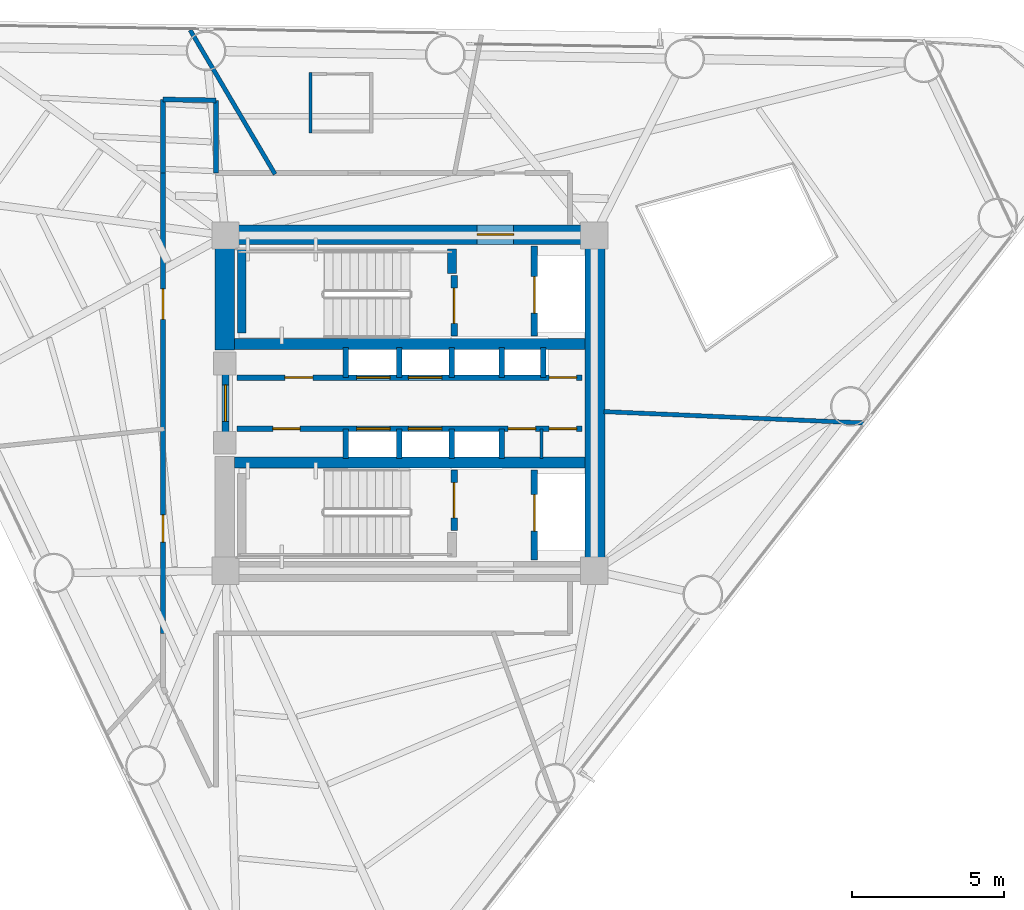
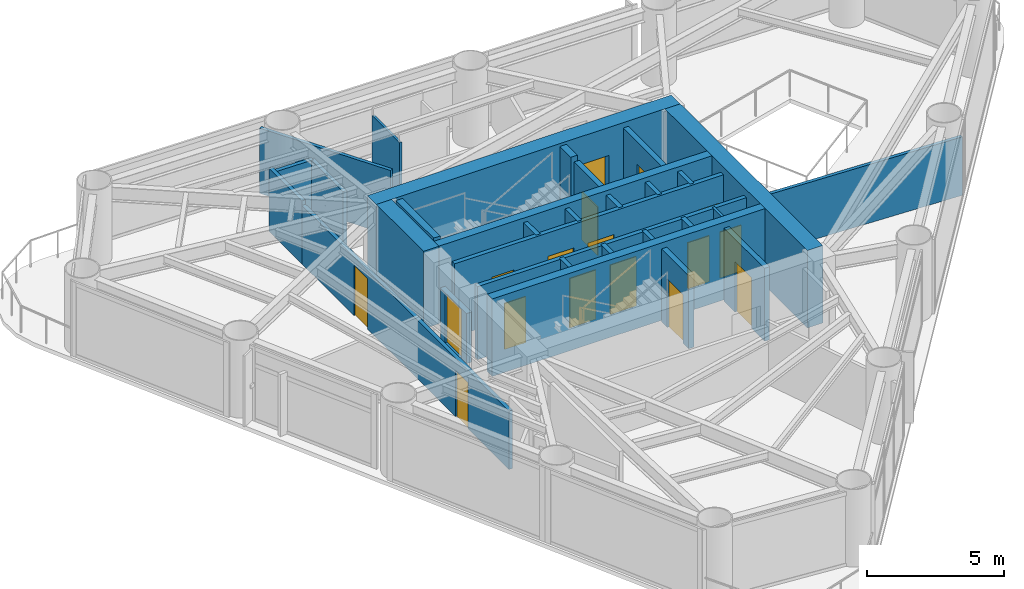
# One storey, part 6 of 10: 31 walls, 17 doors, 17 openings.
"""IFC4 building model written with IfcOpenShell, lengths in metres."""

from ifc_helpers import new_model, si_unit, direction, frame, frame_2d, origin, place, context, subcontext, project, spatial, rectangle, extrude, material, layer, layer_set, type_object, element, fill, save


model = new_model("IFC4")

# Units and contexts
model_context = context("Model", 3, precision=1e-05, world=origin(), true_north=direction((0.0, 1.0)))
body_context = subcontext(model_context, "Body", "Model", "MODEL_VIEW")
ifc_project = project(units=[si_unit("LENGTHUNIT", "METRE"), si_unit("AREAUNIT", "SQUARE_METRE"), si_unit("VOLUMEUNIT", "CUBIC_METRE"), si_unit("PLANEANGLEUNIT", "RADIAN"), si_unit("MASSUNIT", "GRAM", prefix="KILO")], contexts=[model_context])

# Site, building, storey
site_placement = place(None, origin())
site = spatial("IfcSite", under=ifc_project, at=site_placement, CompositionType="ELEMENT")
building_placement = place(site_placement, origin())
building = spatial("IfcBuilding", under=site, at=building_placement, Name="Yunling Apex Tower", CompositionType="ELEMENT")
storey_placement = place(building_placement, frame((0.0, 0.0, 136.39990234375)))
storey = spatial("IfcBuildingStorey", under=building, at=storey_placement, Name="L33", CompositionType="ELEMENT", Elevation=136.39990234375)

# Wall, opening, door
ifc_material_1 = material(Name="Concrete C50", Category="concrete")
ifc_layer_1 = layer(ifc_material_1, 0.64990234375)
ifc_layer_set_1 = layer_set([ifc_layer_1], Name="Concrete C50")
wall_type_1 = type_object("IfcWallType", Name="WL-COR-2", PredefinedType="SHEAR", material=ifc_layer_set_1)
wall_1_placement = place(storey_placement, frame((-6.39990234375, 5.52490234375, 0.0), z_axis=(0.0, 0.0, 1.0), x_axis=(1.0, 0.0, 0.0)))
wall_1 = element("IfcWall", 1, at=wall_1_placement, inside=storey, type_object=wall_type_1, Name="L33 North Core Shear Wall", PredefinedType="SHEAR", context=body_context, shape_type="SweptSolid", body=[
    extrude(rectangle(XDim=12.7998046875, YDim=0.64990234375, at=frame_2d((6.39990234375, 0.0))), origin(), (0.0, 0.0, 1.0), 3.4501953125),
])
opening_1_placement = place(wall_1_placement, frame((8.60009765625, 0.0, 0.0)))
opening_1 = element("IfcOpeningElement", 2, at=opening_1_placement, cuts=wall_1, Name="Opening DR-FFL-1", PredefinedType="OPENING", context=body_context, shape_type="SweptSolid", body=[
    extrude(rectangle(XDim=1.199951171875, YDim=2.199951171875, at=frame_2d((0.60009765625, 1.10009765625))), frame((0.0, 0.3349609375, 0.0), z_axis=(0.0, -1.0, 0.0), x_axis=(1.0, 0.0, 0.0)), (0.0, 0.0, 1.0), 0.669921875),
])
ifc_material_2 = material(Name="Steel Q355B", Category="steel")
door_type_1 = type_object("IfcDoorType", Name="DR-FFL-1", OperationType="NOTDEFINED", PredefinedType="DOOR", material=ifc_material_2)
door_1_placement = place(opening_1_placement, origin())
door_1 = element("IfcDoor", 3, at=door_1_placement, inside=storey, type_object=door_type_1, Name="L33 North Firefighting Lobby Door", OperationType="SINGLE_SWING_LEFT", OverallHeight=2.199951171875, OverallWidth=1.199951171875, PredefinedType="DOOR", context=body_context, shape_type="SweptSolid", body=[
    extrude(rectangle(XDim=1.199951171875, YDim=2.199951171875, at=frame_2d((0.60009765625, 1.10009765625))), frame((0.0, 0.02490234375, 0.0), z_axis=(0.0, -1.0, 0.0), x_axis=(1.0, 0.0, 0.0)), (0.0, 0.0, 1.0), 0.050048828125),
])
fill(opening_1, door_1)

# Walls
wall_2_placement = place(storey_placement, frame((6.074951171875, -5.199951171875, 0.0), z_axis=(0.0, 0.0, 1.0), x_axis=(0.0, 1.0, 0.0)))
element("IfcWall", 4, at=wall_2_placement, inside=storey, type_object=wall_type_1, Name="L33 East Core Shear Wall", PredefinedType="SHEAR", context=body_context, shape_type="SweptSolid", body=[
    extrude(rectangle(XDim=10.39990234375, YDim=0.64990234375, at=frame_2d((5.199951171875, 0.0))), origin(), (0.0, 0.0, 1.0), 3.4501953125),
])
wall_3_placement = place(storey_placement, frame((-6.074951171875, 1.75, 0.0), z_axis=(0.0, 0.0, 1.0), x_axis=(0.0, 1.0, 0.0)))
element("IfcWall", 5, at=wall_3_placement, inside=storey, type_object=wall_type_1, Name="L33 West-North Core Shear Wall", PredefinedType="SHEAR", context=body_context, shape_type="SweptSolid", body=[
    extrude(rectangle(XDim=3.449951171875, YDim=0.64990234375, at=frame_2d((1.72509765625, 0.0))), origin(), (0.0, 0.0, 1.0), 3.4501953125),
])
ifc_material_3 = material(Name="Concrete C40", Category="concrete")
ifc_layer_2 = layer(ifc_material_3, 0.360107421875)
ifc_layer_set_2 = layer_set([ifc_layer_2], Name="Concrete C40")
wall_type_2 = type_object("IfcWallType", Name="WL-COR-4", PredefinedType="SHEAR", material=ifc_layer_set_2)
for number, where, z_axis, x_axis, name in (
    (6, (-5.75, 1.93994140625, 0.0), (0.0, 0.0, 1.0), (1.0, 0.0, 0.0), "L33 North Internal Core Shear Wall"),
    (7, (-5.75, -1.93994140625, 0.0), (0.0, 0.0, 1.0), (1.0, 0.0, 0.0), "L33 South Internal Core Shear Wall"),
):
    element("IfcWall", number, at=place(storey_placement, frame(where, z_axis=z_axis, x_axis=x_axis)), inside=storey, type_object=wall_type_2, Name=name, PredefinedType="SHEAR", context=body_context, shape_type="SweptSolid", body=[
        extrude(rectangle(XDim=11.5, YDim=0.360107421875, at=frame_2d((5.75, 0.0))), origin(), (0.0, 0.0, 1.0), 3.4501953125),
    ])
ifc_layer_3 = layer(ifc_material_3, 0.280029296875)
ifc_layer_set_3 = layer_set([ifc_layer_3], Name="Concrete C40")
wall_type_3 = type_object("IfcWallType", Name="WL-COR-8", PredefinedType="SHEAR", material=ifc_layer_set_3)
wall_4_placement = place(storey_placement, frame((-5.52001953125, 2.300048828125, 0.0), z_axis=(0.0, 0.0, 1.0), x_axis=(0.0, 1.0, 0.0)))
element("IfcWall", 8, at=wall_4_placement, inside=storey, type_object=wall_type_3, Name="L33 ST-1 West Landing Bearing Wall", PredefinedType="SHEAR", context=body_context, shape_type="SweptSolid", body=[
    extrude(rectangle(XDim=2.75, YDim=0.280029296875, at=frame_2d((1.375, 0.0))), origin(), (0.0, 0.0, 1.0), 3.4501953125),
])
wall_5_placement = place(storey_placement, frame((1.3798828125, 4.25, 0.0), z_axis=(0.0, 0.0, 1.0), x_axis=(0.0, 1.0, 0.0)))
element("IfcWall", 9, at=wall_5_placement, inside=storey, type_object=wall_type_3, Name="L33 ST-1 East Landing Bearing Pier", PredefinedType="SHEAR", context=body_context, shape_type="SweptSolid", body=[
    extrude(rectangle(XDim=0.800048828125, YDim=0.280029296875, at=frame_2d((0.39990234375, 0.0))), origin(), (0.0, 0.0, 1.0), 3.4501953125),
])

# Wall, openings, doors
ifc_material_4 = material(Name="Gypsum board acoustic partition")
ifc_layer_4 = layer(ifc_material_4, 0.159912109375)
ifc_layer_set_4 = layer_set([ifc_layer_4], Name="Gypsum board acoustic partition")
wall_type_4 = type_object("IfcWallType", Name="WL-PRT-1", PredefinedType="PARTITIONING", material=ifc_layer_set_4)
wall_6_placement = place(storey_placement, frame((-8.10009765625, -7.550048828125, 0.0), z_axis=(0.0, 0.0, 1.0), x_axis=(0.0, 1.0, 0.0)))
wall_6 = element("IfcWall", 10, at=wall_6_placement, inside=storey, type_object=wall_type_4, Name="WL-CORR-L33-03", PredefinedType="PARTITIONING", context=body_context, shape_type="SweptSolid", body=[
    extrude(rectangle(XDim=15.10009765625, YDim=0.159912109375, at=frame_2d((7.550048828125, 0.0))), origin(), (0.0, 0.0, 1.0), 2.60498046875),
])
opening_2_placement = place(wall_6_placement, frame((2.989013671875, 0.0, 0.0)))
opening_2 = element("IfcOpeningElement", 11, at=opening_2_placement, cuts=wall_6, Name="Opening DR-SHF-1", PredefinedType="OPENING", context=body_context, shape_type="SweptSolid", body=[
    extrude(rectangle(XDim=0.89990234375, YDim=2.050048828125, at=frame_2d((0.449951171875, 1.02490234375))), frame((0.0, 0.08984375, 0.0), z_axis=(0.0, -1.0, 0.0), x_axis=(1.0, 0.0, 0.0)), (0.0, 0.0, 1.0), 0.179931640625),
])
opening_3_placement = place(wall_6_placement, frame((10.30126953125, 0.0, 0.0)))
opening_3 = element("IfcOpeningElement", 12, at=opening_3_placement, cuts=wall_6, Name="Opening DR-OFF-1", PredefinedType="OPENING", context=body_context, shape_type="SweptSolid", body=[
    extrude(rectangle(XDim=1.0, YDim=2.25, at=frame_2d((0.5, 1.125))), frame((0.0, 0.08984375, 0.0), z_axis=(0.0, -1.0, 0.0), x_axis=(1.0, 0.0, 0.0)), (0.0, 0.0, 1.0), 0.179931640625),
])
ifc_material_5 = material(Name="Bronze anodised aluminium", Category="aluminium")
door_type_2 = type_object("IfcDoorType", Name="DR-OFF-1", OperationType="NOTDEFINED", PredefinedType="DOOR", material=ifc_material_5)
door_2_placement = place(opening_3_placement, origin())
door_2 = element("IfcDoor", 13, at=door_2_placement, inside=storey, type_object=door_type_2, Name="L33 Club Lounge Door", OperationType="SINGLE_SWING_RIGHT", OverallHeight=2.25, OverallWidth=1.0, PredefinedType="DOOR", context=body_context, shape_type="SweptSolid", body=[
    extrude(rectangle(XDim=1.0, YDim=2.25, at=frame_2d((0.5, 1.125))), frame((0.0, 0.02490234375, 0.0), z_axis=(0.0, -1.0, 0.0), x_axis=(1.0, 0.0, 0.0)), (0.0, 0.0, 1.0), 0.050048828125),
])
fill(opening_3, door_2)
door_type_3 = type_object("IfcDoorType", Name="DR-SHF-1", OperationType="NOTDEFINED", PredefinedType="DOOR", material=ifc_material_2)
door_3_placement = place(opening_2_placement, origin())
door_3 = element("IfcDoor", 14, at=door_3_placement, inside=storey, type_object=door_type_3, Name="L33 Housekeeping Room Door", OperationType="SINGLE_SWING_LEFT", OverallHeight=2.050048828125, OverallWidth=0.89990234375, PredefinedType="DOOR", context=body_context, shape_type="SweptSolid", body=[
    extrude(rectangle(XDim=0.89990234375, YDim=2.050048828125, at=frame_2d((0.449951171875, 1.02490234375))), frame((0.0, 0.02490234375, 0.0), z_axis=(0.0, -1.0, 0.0), x_axis=(1.0, 0.0, 0.0)), (0.0, 0.0, 1.0), 0.050048828125),
])
fill(opening_2, door_3)

# Walls
wall_7_placement = place(storey_placement, frame((-8.10009765625, 7.550048828125, 0.0), z_axis=(0.0, 0.0, 1.0), x_axis=(0.0, 1.0, 0.0)))
element("IfcWall", 15, at=wall_7_placement, inside=storey, type_object=wall_type_4, Name="WL-CORR-L33-04", PredefinedType="PARTITIONING", context=body_context, shape_type="SweptSolid", body=[
    extrude(rectangle(XDim=2.411865234375, YDim=0.159912109375, at=frame_2d((1.2060546875, 0.0))), origin(), (0.0, 0.0, 1.0), 2.80517578125),
])
wall_8_placement = place(storey_placement, frame((-8.10009765625, 9.9619140625, 0.0), z_axis=(0.0, 0.0, 1.0), x_axis=(0.999858281466, -0.016834992813, 0.0)))
element("IfcWall", 16, at=wall_8_placement, inside=storey, type_object=wall_type_4, Name="WL-CORR-L33-05", PredefinedType="PARTITIONING", context=body_context, shape_type="SweptSolid", body=[
    extrude(rectangle(XDim=1.740234375, YDim=0.159912109375, at=frame_2d((0.8701171875, 0.0))), origin(), (0.0, 0.0, 1.0), 2.60498046875),
])
wall_9_placement = place(storey_placement, frame((-6.360107421875, 9.9326171875, 0.0), z_axis=(0.0, 0.0, 1.0), x_axis=(0.0, -1.0, 0.0)))
element("IfcWall", 17, at=wall_9_placement, inside=storey, type_object=wall_type_4, Name="WL-CORR-L33-06", PredefinedType="PARTITIONING", context=body_context, shape_type="SweptSolid", body=[
    extrude(rectangle(XDim=2.382568359375, YDim=0.159912109375, at=frame_2d((1.19140625, 0.0))), origin(), (0.0, 0.0, 1.0), 2.60498046875),
])
ifc_layer_5 = layer(ifc_material_4, 0.139892578125)
ifc_layer_set_5 = layer_set([ifc_layer_5], Name="Gypsum board acoustic partition")
wall_type_5 = type_object("IfcWallType", Name="WL-PRT-2", PredefinedType="PARTITIONING", material=ifc_layer_set_5)
wall_10_placement = place(storey_placement, frame((6.360107421875, -0.277587890625, 0.0), z_axis=(0.0, 0.0, 1.0), x_axis=(0.999047707238, -0.043631166178, 0.0)))
element("IfcWall", 18, at=wall_10_placement, inside=storey, type_object=wall_type_5, Name="WL-RAD-L33-01", PredefinedType="PARTITIONING", context=body_context, shape_type="SweptSolid", body=[
    extrude(rectangle(XDim=8.52197265625, YDim=0.139892578125, at=frame_2d((4.260986328125, 0.0))), origin(), (0.0, 0.0, 1.0), 2.60498046875),
])
wall_11_placement = place(storey_placement, frame((-4.423583984375, 7.510009765625, 0.0), z_axis=(0.0, 0.0, 1.0), x_axis=(-0.507548978892, 0.861622907092, 0.0)))
element("IfcWall", 19, at=wall_11_placement, inside=storey, type_object=wall_type_5, Name="WL-RAD-L33-03", PredefinedType="PARTITIONING", context=body_context, shape_type="SweptSolid", body=[
    extrude(rectangle(XDim=5.486572265625, YDim=0.139892578125, at=frame_2d((2.7431640625, 0.0))), origin(), (0.0, 0.0, 1.0), 2.905029296875),
])
ifc_layer_6 = layer(ifc_material_4, 0.10009765625)
ifc_layer_set_6 = layer_set([ifc_layer_6], Name="Gypsum board acoustic partition")
wall_type_6 = type_object("IfcWallType", Name="WL-PRT-4", PredefinedType="PARTITIONING", material=ifc_layer_set_6)
wall_12_placement = place(storey_placement, frame((4.31005859375, -1.820068359375, 0.0), z_axis=(0.0, 0.0, 1.0), x_axis=(0.0, 1.0, 0.0)))
element("IfcWall", 20, at=wall_12_placement, inside=storey, type_object=wall_type_6, Name="WL-KCDIV-L33", PredefinedType="PARTITIONING", context=body_context, shape_type="SweptSolid", body=[
    extrude(rectangle(XDim=0.97998046875, YDim=0.10009765625, at=frame_2d((0.489990234375, 0.0))), origin(), (0.0, 0.0, 1.0), 3.25),
])
wall_13_placement = place(storey_placement, frame((-3.26806640625, 8.85498046875, 0.0), z_axis=(0.0, 0.0, 1.0), x_axis=(0.0, 1.0, 0.0)))
element("IfcWall", 21, at=wall_13_placement, inside=storey, type_object=wall_type_6, Name="WL-ENS-L33-5W", PredefinedType="PARTITIONING", context=body_context, shape_type="SweptSolid", body=[
    extrude(rectangle(XDim=2.0, YDim=0.10009765625, at=frame_2d((1.0, 0.0))), origin(), (0.0, 0.0, 1.0), 2.905029296875),
])

# Wall, opening, door
ifc_material_6 = material(Name="Autoclaved aerated concrete masonry", Category="masonry")
ifc_layer_7 = layer(ifc_material_6, 0.219970703125)
ifc_layer_set_7 = layer_set([ifc_layer_7], Name="Autoclaved aerated concrete masonry")
wall_type_7 = type_object("IfcWallType", Name="WL-SHF-1", PredefinedType="PLUMBINGWALL", material=ifc_layer_set_7)
wall_14_placement = place(storey_placement, frame((-6.050048828125, -0.949951171875, 0.0), z_axis=(0.0, 0.0, 1.0), x_axis=(0.0, 1.0, 0.0)))
wall_14 = element("IfcWall", 22, at=wall_14_placement, inside=storey, type_object=wall_type_7, Name="WL-COR-WPORT-L33", PredefinedType="PLUMBINGWALL", context=body_context, shape_type="SweptSolid", body=[
    extrude(rectangle(XDim=1.89990234375, YDim=0.219970703125, at=frame_2d((0.949951171875, 0.0))), origin(), (0.0, 0.0, 1.0), 2.22998046875),
])
opening_4_placement = place(wall_14_placement, frame((0.35009765625, 0.0, 0.0)))
opening_4 = element("IfcOpeningElement", 23, at=opening_4_placement, cuts=wall_14, Name="Opening DR-FFL-1", PredefinedType="OPENING", context=body_context, shape_type="SweptSolid", body=[
    extrude(rectangle(XDim=1.199951171875, YDim=2.199951171875, at=frame_2d((0.60009765625, 1.10009765625))), frame((0.0, 0.1201171875, 0.0), z_axis=(0.0, -1.0, 0.0), x_axis=(1.0, 0.0, 0.0)), (0.0, 0.0, 1.0), 0.239990234375),
])
door_4_placement = place(opening_4_placement, origin())
door_4 = element("IfcDoor", 24, at=door_4_placement, inside=storey, type_object=door_type_1, Name="L33 Passenger Lift Lobby Entrance Door", OperationType="SINGLE_SWING_RIGHT", OverallHeight=2.199951171875, OverallWidth=1.199951171875, PredefinedType="DOOR", context=body_context, shape_type="SweptSolid", body=[
    extrude(rectangle(XDim=1.199951171875, YDim=2.199951171875, at=frame_2d((0.60009765625, 1.10009765625))), frame((0.0, 0.02490234375, 0.0), z_axis=(0.0, -1.0, 0.0), x_axis=(1.0, 0.0, 0.0)), (0.0, 0.0, 1.0), 0.050048828125),
])
fill(opening_4, door_4)

wall_15_placement = place(storey_placement, frame((1.449951171875, 2.199951171875, 0.0), z_axis=(0.0, 0.0, 1.0), x_axis=(0.0, 1.0, 0.0)))
wall_15 = element("IfcWall", 25, at=wall_15_placement, inside=storey, type_object=wall_type_7, Name="WL-ST1-E-L33", PredefinedType="PLUMBINGWALL", context=body_context, shape_type="SweptSolid", body=[
    extrude(rectangle(XDim=1.97998046875, YDim=0.219970703125, at=frame_2d((0.989990234375, 0.0))), origin(), (0.0, 0.0, 1.0), 3.25),
])
opening_5_placement = place(wall_15_placement, frame((0.419921875, 0.0, 0.0)))
opening_5 = element("IfcOpeningElement", 26, at=opening_5_placement, cuts=wall_15, Name="Opening DR-ST-1", PredefinedType="OPENING", context=body_context, shape_type="SweptSolid", body=[
    extrude(rectangle(XDim=1.14990234375, YDim=2.14990234375, at=frame_2d((0.574951171875, 1.074951171875))), frame((0.0, 0.1201171875, 0.0), z_axis=(0.0, -1.0, 0.0), x_axis=(1.0, 0.0, 0.0)), (0.0, 0.0, 1.0), 0.239990234375),
])
door_type_4 = type_object("IfcDoorType", Name="DR-ST-1", OperationType="NOTDEFINED", PredefinedType="DOOR", material=ifc_material_2)
door_5_placement = place(opening_5_placement, origin())
door_5 = element("IfcDoor", 27, at=door_5_placement, inside=storey, type_object=door_type_4, Name="L33 Stair ST-1 Fire Door", OperationType="SINGLE_SWING_RIGHT", OverallHeight=2.14990234375, OverallWidth=1.14990234375, PredefinedType="DOOR", context=body_context, shape_type="SweptSolid", body=[
    extrude(rectangle(XDim=1.14990234375, YDim=2.14990234375, at=frame_2d((0.574951171875, 1.074951171875))), frame((0.0, 0.02490234375, 0.0), z_axis=(0.0, -1.0, 0.0), x_axis=(1.0, 0.0, 0.0)), (0.0, 0.0, 1.0), 0.050048828125),
])
fill(opening_5, door_5)

wall_16_placement = place(storey_placement, frame((4.080078125, 2.199951171875, 0.0), z_axis=(0.0, 0.0, 1.0), x_axis=(0.0, 1.0, 0.0)))
wall_16 = element("IfcWall", 28, at=wall_16_placement, inside=storey, type_object=wall_type_7, Name="WL-FFL1-W-L33", PredefinedType="PLUMBINGWALL", context=body_context, shape_type="SweptSolid", body=[
    extrude(rectangle(XDim=2.949951171875, YDim=0.219970703125, at=frame_2d((1.47509765625, 0.0))), origin(), (0.0, 0.0, 1.0), 3.25),
])
opening_6_placement = place(wall_16_placement, frame((0.75, 0.0, 0.0)))
opening_6 = element("IfcOpeningElement", 29, at=opening_6_placement, cuts=wall_16, Name="Opening LD-FFL-1", PredefinedType="OPENING", context=body_context, shape_type="SweptSolid", body=[
    extrude(rectangle(XDim=1.199951171875, YDim=2.25, at=frame_2d((0.60009765625, 1.125))), frame((0.0, 0.1201171875, 0.0), z_axis=(0.0, -1.0, 0.0), x_axis=(1.0, 0.0, 0.0)), (0.0, 0.0, 1.0), 0.239990234375),
])
door_type_5 = type_object("IfcDoorType", Name="LD-FFL-1", OperationType="DOUBLE_DOOR_SLIDING", PredefinedType="DOOR", material=ifc_material_2)
door_6_placement = place(opening_6_placement, origin())
door_6 = element("IfcDoor", 30, at=door_6_placement, inside=storey, type_object=door_type_5, Name="L33 Lift FFL-1 Landing Door", OperationType="DOUBLE_DOOR_SLIDING", OverallHeight=2.25, OverallWidth=1.199951171875, PredefinedType="DOOR", context=body_context, shape_type="SweptSolid", body=[
    extrude(rectangle(XDim=1.199951171875, YDim=2.25, at=frame_2d((0.60009765625, 1.125))), frame((0.0, 0.02490234375, 0.0), z_axis=(0.0, -1.0, 0.0), x_axis=(1.0, 0.0, 0.0)), (0.0, 0.0, 1.0), 0.050048828125),
])
fill(opening_6, door_6)

wall_17_placement = place(storey_placement, frame((1.449951171875, -4.179931640625, 0.0), z_axis=(0.0, 0.0, 1.0), x_axis=(0.0, 1.0, 0.0)))
wall_17 = element("IfcWall", 31, at=wall_17_placement, inside=storey, type_object=wall_type_7, Name="WL-ST2-E-L33", PredefinedType="PLUMBINGWALL", context=body_context, shape_type="SweptSolid", body=[
    extrude(rectangle(XDim=1.97998046875, YDim=0.219970703125, at=frame_2d((0.989990234375, 0.0))), origin(), (0.0, 0.0, 1.0), 3.25),
])
opening_7_placement = place(wall_17_placement, frame((0.419921875, 0.0, 0.0)))
opening_7 = element("IfcOpeningElement", 32, at=opening_7_placement, cuts=wall_17, Name="Opening DR-ST-1", PredefinedType="OPENING", context=body_context, shape_type="SweptSolid", body=[
    extrude(rectangle(XDim=1.14990234375, YDim=2.14990234375, at=frame_2d((0.574951171875, 1.074951171875))), frame((0.0, 0.1201171875, 0.0), z_axis=(0.0, -1.0, 0.0), x_axis=(1.0, 0.0, 0.0)), (0.0, 0.0, 1.0), 0.239990234375),
])
door_7_placement = place(opening_7_placement, origin())
door_7 = element("IfcDoor", 33, at=door_7_placement, inside=storey, type_object=door_type_4, Name="L33 Stair ST-2 Fire Door", OperationType="SINGLE_SWING_LEFT", OverallHeight=2.14990234375, OverallWidth=1.14990234375, PredefinedType="DOOR", context=body_context, shape_type="SweptSolid", body=[
    extrude(rectangle(XDim=1.14990234375, YDim=2.14990234375, at=frame_2d((0.574951171875, 1.074951171875))), frame((0.0, 0.02490234375, 0.0), z_axis=(0.0, -1.0, 0.0), x_axis=(1.0, 0.0, 0.0)), (0.0, 0.0, 1.0), 0.050048828125),
])
fill(opening_7, door_7)

wall_18_placement = place(storey_placement, frame((4.080078125, -5.14990234375, 0.0), z_axis=(0.0, 0.0, 1.0), x_axis=(0.0, 1.0, 0.0)))
wall_18 = element("IfcWall", 34, at=wall_18_placement, inside=storey, type_object=wall_type_7, Name="WL-FFL2-W-L33", PredefinedType="PLUMBINGWALL", context=body_context, shape_type="SweptSolid", body=[
    extrude(rectangle(XDim=2.949951171875, YDim=0.219970703125, at=frame_2d((1.47509765625, 0.0))), origin(), (0.0, 0.0, 1.0), 3.25),
])
opening_8_placement = place(wall_18_placement, frame((0.949951171875, 0.0, 0.0)))
opening_8 = element("IfcOpeningElement", 35, at=opening_8_placement, cuts=wall_18, Name="Opening LD-FFL-1", PredefinedType="OPENING", context=body_context, shape_type="SweptSolid", body=[
    extrude(rectangle(XDim=1.199951171875, YDim=2.25, at=frame_2d((0.60009765625, 1.125))), frame((0.0, 0.1201171875, 0.0), z_axis=(0.0, -1.0, 0.0), x_axis=(1.0, 0.0, 0.0)), (0.0, 0.0, 1.0), 0.239990234375),
])
door_8_placement = place(opening_8_placement, origin())
door_8 = element("IfcDoor", 36, at=door_8_placement, inside=storey, type_object=door_type_5, Name="L33 Lift FFL-2 Landing Door", OperationType="DOUBLE_DOOR_SLIDING", OverallHeight=2.25, OverallWidth=1.199951171875, PredefinedType="DOOR", context=body_context, shape_type="SweptSolid", body=[
    extrude(rectangle(XDim=1.199951171875, YDim=2.25, at=frame_2d((0.60009765625, 1.125))), frame((0.0, 0.02490234375, 0.0), z_axis=(0.0, -1.0, 0.0), x_axis=(1.0, 0.0, 0.0)), (0.0, 0.0, 1.0), 0.050048828125),
])
fill(opening_8, door_8)

# Walls
ifc_layer_8 = layer(ifc_material_6, 0.179931640625)
ifc_layer_set_8 = layer_set([ifc_layer_8], Name="Autoclaved aerated concrete masonry")
wall_type_8 = type_object("IfcWallType", Name="WL-SHF-2", PredefinedType="PLUMBINGWALL", material=ifc_layer_set_8)
for number, where, z_axis, x_axis, name in (
    (37, (-2.10009765625, 0.840087890625, 0.0), (0.0, 0.0, 1.0), (0.0, 1.0, 0.0), "WL-BNK-LM-N-L33"),
    (38, (-2.10009765625, -1.820068359375, 0.0), (0.0, 0.0, 1.0), (0.0, 1.0, 0.0), "WL-BNK-LM-S-L33"),
    (39, (-0.35009765625, 0.840087890625, 0.0), (0.0, 0.0, 1.0), (0.0, 1.0, 0.0), "WL-DIV-M12-L33"),
    (40, (-0.35009765625, -1.820068359375, 0.0), (0.0, 0.0, 1.0), (0.0, 1.0, 0.0), "WL-DIV-M34-L33"),
    (41, (1.3798828125, 0.840087890625, 0.0), (0.0, 0.0, 1.0), (0.0, 1.0, 0.0), "WL-BNK-MH-N-L33"),
    (42, (1.3798828125, -1.820068359375, 0.0), (0.0, 0.0, 1.0), (0.0, 1.0, 0.0), "WL-BNK-MH-S-L33"),
    (43, (3.02001953125, 0.840087890625, 0.0), (0.0, 0.0, 1.0), (0.0, 1.0, 0.0), "WL-DIV-H13-L33"),
    (44, (4.3798828125, 0.840087890625, 0.0), (0.0, 0.0, 1.0), (0.0, 1.0, 0.0), "WL-END-H3E-L33"),
    (45, (3.02001953125, -1.820068359375, 0.0), (0.0, 0.0, 1.0), (0.0, 1.0, 0.0), "WL-END-H2E-L33"),
):
    element("IfcWall", number, at=place(storey_placement, frame(where, z_axis=z_axis, x_axis=x_axis)), inside=storey, type_object=wall_type_8, Name=name, PredefinedType="PLUMBINGWALL", context=body_context, shape_type="SweptSolid", body=[
        extrude(rectangle(XDim=0.97998046875, YDim=0.179931640625, at=frame_2d((0.489990234375, 0.0))), origin(), (0.0, 0.0, 1.0), 3.25),
    ])

# Wall, openings, doors
wall_19_placement = place(storey_placement, frame((-5.679931640625, 0.840087890625, 0.0), z_axis=(0.0, 0.0, 1.0), x_axis=(1.0, 0.0, 0.0)))
wall_19 = element("IfcWall", 46, at=wall_19_placement, inside=storey, type_object=wall_type_8, Name="WL-LOB-N-L33", PredefinedType="PLUMBINGWALL", context=body_context, shape_type="SweptSolid", body=[
    extrude(rectangle(XDim=11.329833984375, YDim=0.179931640625, at=frame_2d((5.6650390625, 0.0))), origin(), (0.0, 0.0, 1.0), 3.25),
])
opening_9_placement = place(wall_19_placement, frame((1.580078125, 0.0, 0.0)))
opening_9 = element("IfcOpeningElement", 47, at=opening_9_placement, cuts=wall_19, Name="Opening DR-WC-1", PredefinedType="OPENING", context=body_context, shape_type="SweptSolid", body=[
    extrude(rectangle(XDim=0.919921875, YDim=2.10009765625, at=frame_2d((0.4599609375, 1.050048828125))), frame((0.0, 0.10009765625, 0.0), z_axis=(0.0, -1.0, 0.0), x_axis=(1.0, 0.0, 0.0)), (0.0, 0.0, 1.0), 0.199951171875),
])
opening_10_placement = place(wall_19_placement, frame((3.929931640625, 0.0, 0.0)))
opening_10 = element("IfcOpeningElement", 48, at=opening_10_placement, cuts=wall_19, Name="Opening LD-PAS-1", PredefinedType="OPENING", context=body_context, shape_type="SweptSolid", body=[
    extrude(rectangle(XDim=1.10009765625, YDim=2.199951171875, at=frame_2d((0.550048828125, 1.10009765625))), frame((0.0, 0.10009765625, 0.0), z_axis=(0.0, -1.0, 0.0), x_axis=(1.0, 0.0, 0.0)), (0.0, 0.0, 1.0), 0.199951171875),
])
opening_11_placement = place(wall_19_placement, frame((5.6298828125, 0.0, 0.0)))
opening_11 = element("IfcOpeningElement", 49, at=opening_11_placement, cuts=wall_19, Name="Opening LD-PAS-1", PredefinedType="OPENING", context=body_context, shape_type="SweptSolid", body=[
    extrude(rectangle(XDim=1.10009765625, YDim=2.199951171875, at=frame_2d((0.550048828125, 1.10009765625))), frame((0.0, 0.10009765625, 0.0), z_axis=(0.0, -1.0, 0.0), x_axis=(1.0, 0.0, 0.0)), (0.0, 0.0, 1.0), 0.199951171875),
])
opening_12_placement = place(wall_19_placement, frame((10.25, 0.0, 0.0)))
opening_12 = element("IfcOpeningElement", 50, at=opening_12_placement, cuts=wall_19, Name="Opening DR-SHF-1", PredefinedType="OPENING", context=body_context, shape_type="SweptSolid", body=[
    extrude(rectangle(XDim=0.89990234375, YDim=2.050048828125, at=frame_2d((0.449951171875, 1.02490234375))), frame((0.0, 0.10009765625, 0.0), z_axis=(0.0, -1.0, 0.0), x_axis=(1.0, 0.0, 0.0)), (0.0, 0.0, 1.0), 0.199951171875),
])
door_9_placement = place(opening_12_placement, origin())
door_9 = element("IfcDoor", 51, at=door_9_placement, inside=storey, type_object=door_type_3, Name="L33 Floor Supply Store Door", OperationType="SINGLE_SWING_LEFT", OverallHeight=2.050048828125, OverallWidth=0.89990234375, PredefinedType="DOOR", context=body_context, shape_type="SweptSolid", body=[
    extrude(rectangle(XDim=0.89990234375, YDim=2.050048828125, at=frame_2d((0.449951171875, 1.02490234375))), frame((0.0, 0.02490234375, 0.0), z_axis=(0.0, -1.0, 0.0), x_axis=(1.0, 0.0, 0.0)), (0.0, 0.0, 1.0), 0.050048828125),
])
fill(opening_12, door_9)
ifc_material_7 = material(Name="Timber moisture-resistant leaf", Category="wood")
door_type_6 = type_object("IfcDoorType", Name="DR-WC-1", OperationType="NOTDEFINED", PredefinedType="DOOR", material=ifc_material_7)
door_10_placement = place(opening_9_placement, origin())
door_10 = element("IfcDoor", 52, at=door_10_placement, inside=storey, type_object=door_type_6, Name="L33 Floor Staff WC Door", OperationType="SINGLE_SWING_RIGHT", OverallHeight=2.10009765625, OverallWidth=0.919921875, PredefinedType="DOOR", context=body_context, shape_type="SweptSolid", body=[
    extrude(rectangle(XDim=0.919921875, YDim=2.10009765625, at=frame_2d((0.4599609375, 1.050048828125))), frame((0.0, 0.02490234375, 0.0), z_axis=(0.0, -1.0, 0.0), x_axis=(1.0, 0.0, 0.0)), (0.0, 0.0, 1.0), 0.050048828125),
])
fill(opening_9, door_10)
ifc_material_8 = material(Name="Silver anodised aluminium", Category="aluminium")
door_type_7 = type_object("IfcDoorType", Name="LD-PAS-1", OperationType="DOUBLE_DOOR_SLIDING", PredefinedType="DOOR", material=ifc_material_8)
door_11_placement = place(opening_10_placement, origin())
door_11 = element("IfcDoor", 53, at=door_11_placement, inside=storey, type_object=door_type_7, Name="L33 Lift PL-M1 Landing Door", OperationType="DOUBLE_DOOR_SLIDING", OverallHeight=2.199951171875, OverallWidth=1.10009765625, PredefinedType="DOOR", context=body_context, shape_type="SweptSolid", body=[
    extrude(rectangle(XDim=1.10009765625, YDim=2.199951171875, at=frame_2d((0.550048828125, 1.10009765625))), frame((0.0, 0.02490234375, 0.0), z_axis=(0.0, -1.0, 0.0), x_axis=(1.0, 0.0, 0.0)), (0.0, 0.0, 1.0), 0.050048828125),
])
fill(opening_10, door_11)
door_12_placement = place(opening_11_placement, origin())
door_12 = element("IfcDoor", 54, at=door_12_placement, inside=storey, type_object=door_type_7, Name="L33 Lift PL-M2 Landing Door", OperationType="DOUBLE_DOOR_SLIDING", OverallHeight=2.199951171875, OverallWidth=1.10009765625, PredefinedType="DOOR", context=body_context, shape_type="SweptSolid", body=[
    extrude(rectangle(XDim=1.10009765625, YDim=2.199951171875, at=frame_2d((0.550048828125, 1.10009765625))), frame((0.0, 0.02490234375, 0.0), z_axis=(0.0, -1.0, 0.0), x_axis=(1.0, 0.0, 0.0)), (0.0, 0.0, 1.0), 0.050048828125),
])
fill(opening_11, door_12)

wall_20_placement = place(storey_placement, frame((-5.679931640625, -0.840087890625, 0.0), z_axis=(0.0, 0.0, 1.0), x_axis=(1.0, 0.0, 0.0)))
wall_20 = element("IfcWall", 55, at=wall_20_placement, inside=storey, type_object=wall_type_8, Name="WL-LOB-S-L33", PredefinedType="PLUMBINGWALL", context=body_context, shape_type="SweptSolid", body=[
    extrude(rectangle(XDim=11.329833984375, YDim=0.179931640625, at=frame_2d((5.6650390625, 0.0))), origin(), (0.0, 0.0, 1.0), 3.25),
])
opening_13_placement = place(wall_20_placement, frame((1.179931640625, 0.0, 0.0)))
opening_13 = element("IfcOpeningElement", 56, at=opening_13_placement, cuts=wall_20, Name="Opening DR-SHF-1", PredefinedType="OPENING", context=body_context, shape_type="SweptSolid", body=[
    extrude(rectangle(XDim=0.89990234375, YDim=2.050048828125, at=frame_2d((0.449951171875, 1.02490234375))), frame((0.0, 0.10009765625, 0.0), z_axis=(0.0, -1.0, 0.0), x_axis=(1.0, 0.0, 0.0)), (0.0, 0.0, 1.0), 0.199951171875),
])
opening_14_placement = place(wall_20_placement, frame((3.929931640625, 0.0, 0.0)))
opening_14 = element("IfcOpeningElement", 57, at=opening_14_placement, cuts=wall_20, Name="Opening LD-PAS-1", PredefinedType="OPENING", context=body_context, shape_type="SweptSolid", body=[
    extrude(rectangle(XDim=1.10009765625, YDim=2.199951171875, at=frame_2d((0.550048828125, 1.10009765625))), frame((0.0, 0.10009765625, 0.0), z_axis=(0.0, -1.0, 0.0), x_axis=(1.0, 0.0, 0.0)), (0.0, 0.0, 1.0), 0.199951171875),
])
opening_15_placement = place(wall_20_placement, frame((5.6298828125, 0.0, 0.0)))
opening_15 = element("IfcOpeningElement", 58, at=opening_15_placement, cuts=wall_20, Name="Opening LD-PAS-1", PredefinedType="OPENING", context=body_context, shape_type="SweptSolid", body=[
    extrude(rectangle(XDim=1.10009765625, YDim=2.199951171875, at=frame_2d((0.550048828125, 1.10009765625))), frame((0.0, 0.10009765625, 0.0), z_axis=(0.0, -1.0, 0.0), x_axis=(1.0, 0.0, 0.0)), (0.0, 0.0, 1.0), 0.199951171875),
])
opening_16_placement = place(wall_20_placement, frame((8.89990234375, 0.0, 0.0)))
opening_16 = element("IfcOpeningElement", 59, at=opening_16_placement, cuts=wall_20, Name="Opening DR-SHF-1", PredefinedType="OPENING", context=body_context, shape_type="SweptSolid", body=[
    extrude(rectangle(XDim=0.89990234375, YDim=2.050048828125, at=frame_2d((0.449951171875, 1.02490234375))), frame((0.0, 0.10009765625, 0.0), z_axis=(0.0, -1.0, 0.0), x_axis=(1.0, 0.0, 0.0)), (0.0, 0.0, 1.0), 0.199951171875),
])
opening_17_placement = place(wall_20_placement, frame((10.25, 0.0, 0.0)))
opening_17 = element("IfcOpeningElement", 60, at=opening_17_placement, cuts=wall_20, Name="Opening DR-SHF-1", PredefinedType="OPENING", context=body_context, shape_type="SweptSolid", body=[
    extrude(rectangle(XDim=0.89990234375, YDim=2.050048828125, at=frame_2d((0.449951171875, 1.02490234375))), frame((0.0, 0.10009765625, 0.0), z_axis=(0.0, -1.0, 0.0), x_axis=(1.0, 0.0, 0.0)), (0.0, 0.0, 1.0), 0.199951171875),
])
door_13_placement = place(opening_13_placement, origin())
door_13 = element("IfcDoor", 61, at=door_13_placement, inside=storey, type_object=door_type_3, Name="L33 Archive Store Door", OperationType="SINGLE_SWING_RIGHT", OverallHeight=2.050048828125, OverallWidth=0.89990234375, PredefinedType="DOOR", context=body_context, shape_type="SweptSolid", body=[
    extrude(rectangle(XDim=0.89990234375, YDim=2.050048828125, at=frame_2d((0.449951171875, 1.02490234375))), frame((0.0, 0.02490234375, 0.0), z_axis=(0.0, -1.0, 0.0), x_axis=(1.0, 0.0, 0.0)), (0.0, 0.0, 1.0), 0.050048828125),
])
fill(opening_13, door_13)
door_14_placement = place(opening_16_placement, origin())
door_14 = element("IfcDoor", 62, at=door_14_placement, inside=storey, type_object=door_type_3, Name="L33 LV Closet Door", OperationType="SINGLE_SWING_LEFT", OverallHeight=2.050048828125, OverallWidth=0.89990234375, PredefinedType="DOOR", context=body_context, shape_type="SweptSolid", body=[
    extrude(rectangle(XDim=0.89990234375, YDim=2.050048828125, at=frame_2d((0.449951171875, 1.02490234375))), frame((0.0, 0.02490234375, 0.0), z_axis=(0.0, -1.0, 0.0), x_axis=(1.0, 0.0, 0.0)), (0.0, 0.0, 1.0), 0.050048828125),
])
fill(opening_16, door_14)
door_15_placement = place(opening_17_placement, origin())
door_15 = element("IfcDoor", 63, at=door_15_placement, inside=storey, type_object=door_type_3, Name="L33 Standpipe Closet Door", OperationType="SINGLE_SWING_RIGHT", OverallHeight=2.050048828125, OverallWidth=0.89990234375, PredefinedType="DOOR", context=body_context, shape_type="SweptSolid", body=[
    extrude(rectangle(XDim=0.89990234375, YDim=2.050048828125, at=frame_2d((0.449951171875, 1.02490234375))), frame((0.0, 0.02490234375, 0.0), z_axis=(0.0, -1.0, 0.0), x_axis=(1.0, 0.0, 0.0)), (0.0, 0.0, 1.0), 0.050048828125),
])
fill(opening_17, door_15)
door_16_placement = place(opening_14_placement, origin())
door_16 = element("IfcDoor", 64, at=door_16_placement, inside=storey, type_object=door_type_7, Name="L33 Lift PL-M3 Landing Door", OperationType="DOUBLE_DOOR_SLIDING", OverallHeight=2.199951171875, OverallWidth=1.10009765625, PredefinedType="DOOR", context=body_context, shape_type="SweptSolid", body=[
    extrude(rectangle(XDim=1.10009765625, YDim=2.199951171875, at=frame_2d((0.550048828125, 1.10009765625))), frame((0.0, 0.02490234375, 0.0), z_axis=(0.0, -1.0, 0.0), x_axis=(1.0, 0.0, 0.0)), (0.0, 0.0, 1.0), 0.050048828125),
])
fill(opening_14, door_16)
door_17_placement = place(opening_15_placement, origin())
door_17 = element("IfcDoor", 65, at=door_17_placement, inside=storey, type_object=door_type_7, Name="L33 Lift PL-M4 Landing Door", OperationType="DOUBLE_DOOR_SLIDING", OverallHeight=2.199951171875, OverallWidth=1.10009765625, PredefinedType="DOOR", context=body_context, shape_type="SweptSolid", body=[
    extrude(rectangle(XDim=1.10009765625, YDim=2.199951171875, at=frame_2d((0.550048828125, 1.10009765625))), frame((0.0, 0.02490234375, 0.0), z_axis=(0.0, -1.0, 0.0), x_axis=(1.0, 0.0, 0.0)), (0.0, 0.0, 1.0), 0.050048828125),
])
fill(opening_15, door_17)

save(model, "model.ifc")
